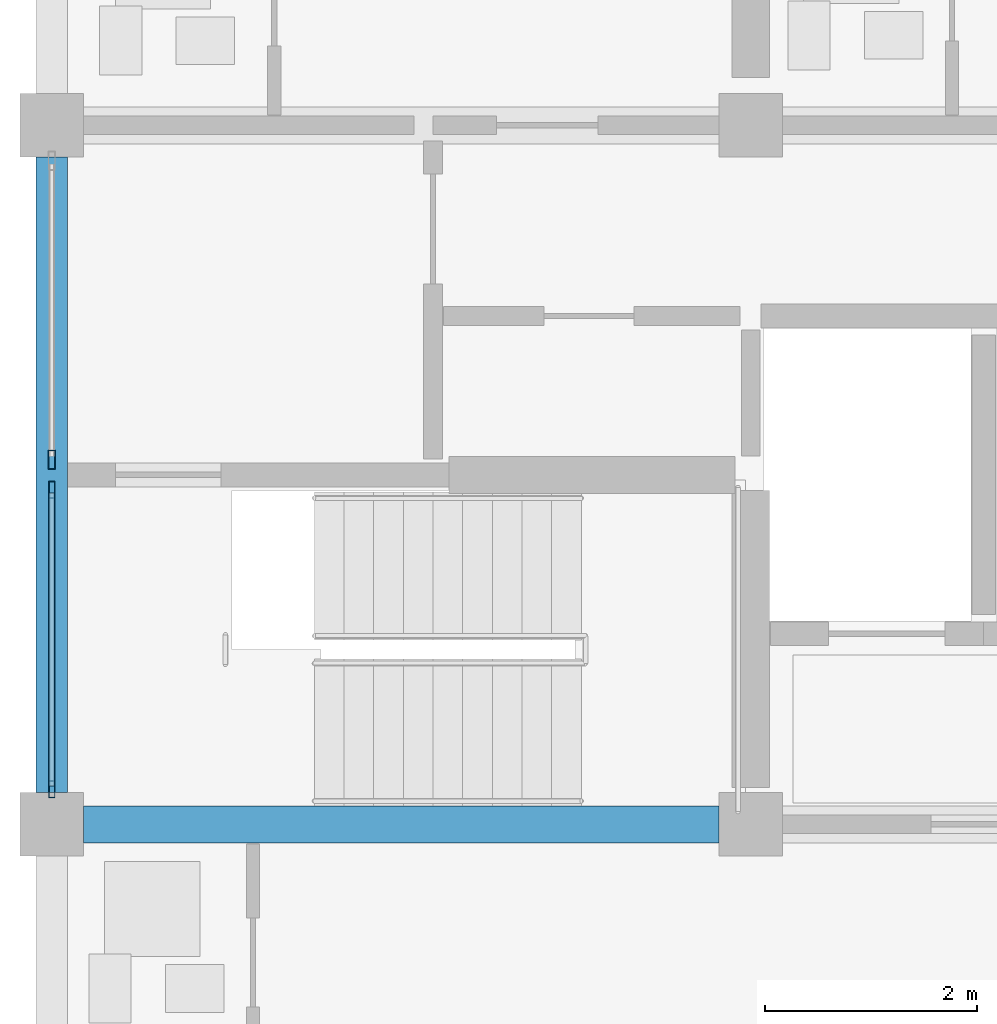
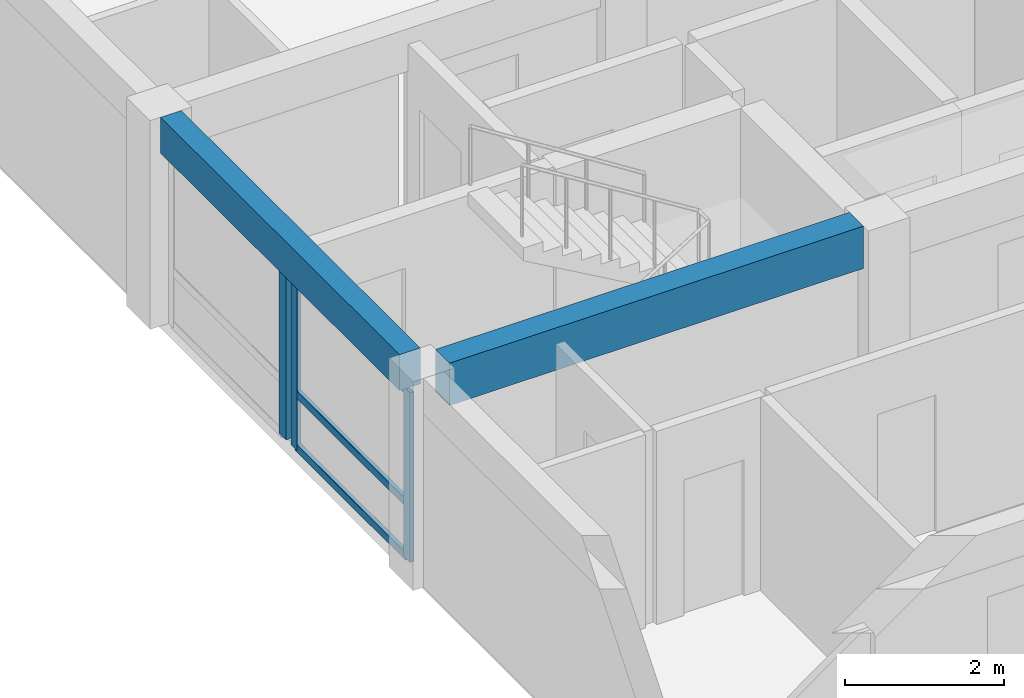
# One storey, part 14 of 51: 6 members, 2 beams, 2 elements without a shape of their own.
"""IFC4 building model written with IfcOpenShell, lengths in metres."""

import ifcopenshell
import ifcopenshell.guid

model = None  # the IFC model being written
_history = None  # IfcOwnerHistory: only IFC2X3 demands one
_inside = {}  # id of a spatial element -> (the spatial element, [elements in it])
_under = {}  # id of a project, library or spatial element -> (it, [spatial elements below it])
_declared = {}  # id of a project -> (the project, [libraries it declares])
_typed = {}  # id of a type object -> (the type object, [elements of that type])
_made_of = {}  # id of a material, layer set ... -> (it, [elements and type objects made of it])


def new_model(schema):
    """Start an empty IFC model of exactly this schema.

    Asked for "IFC4X3", IfcOpenShell would pick the latest addendum, in which some entities
    have other attributes; the version numbers below select the first issue.
    IFC2X3 requires an IfcOwnerHistory on every rooted entity: one is made here for all.
    """
    global model, _history
    if schema == "IFC4X3":
        model = ifcopenshell.file(schema_version=(4, 3, 0, 0))
    else:
        model = ifcopenshell.file(schema=schema)
    _inside.clear()
    _under.clear()
    _declared.clear()
    _typed.clear()
    _made_of.clear()
    _history = None
    if model.schema == "IFC2X3":
        org = make("IfcOrganization", Name="unknown")
        user = make(
            "IfcPersonAndOrganization",
            ThePerson=make("IfcPerson", FamilyName="unknown"),
            TheOrganization=org,
        )
        app = make(
            "IfcApplication",
            ApplicationDeveloper=org,
            Version="unknown",
            ApplicationFullName="unknown",
            ApplicationIdentifier="unknown",
        )
        _history = make(
            "IfcOwnerHistory",
            OwningUser=user,
            OwningApplication=app,
            ChangeAction="ADDED",
            CreationDate=0,
        )
    return model


def make(cls, **values):
    """One entity of the class cls with the attributes given. An attribute that is None is left unset."""
    return model.create_entity(
        cls, **{name: value for name, value in values.items() if value is not None}
    )


def rooted(cls, **values):
    """An entity with a GlobalId (a new one), such as an element, a storey or a relation."""
    return make(cls, GlobalId=ifcopenshell.guid.new(), OwnerHistory=_history, **values)


def si_unit(unit_type, name, prefix=None):
    """IfcSIUnit, for example si_unit("LENGTHUNIT", "METRE", prefix="MILLI")."""
    return make("IfcSIUnit", UnitType=unit_type, Prefix=prefix, Name=name)


def assignment(units):
    """IfcUnitAssignment: the units of a project."""
    return None if units is None else make("IfcUnitAssignment", Units=units)


def point(xyz):
    """IfcCartesianPoint."""
    return None if xyz is None else make("IfcCartesianPoint", Coordinates=xyz)


def direction(xyz):
    """IfcDirection."""
    return None if xyz is None else make("IfcDirection", DirectionRatios=xyz)


def frame(location, z_axis=None, x_axis=None):
    """IfcAxis2Placement3D, a coordinate frame: its origin and axes. An axis left out is left unset."""
    return make(
        "IfcAxis2Placement3D",
        Location=point(location),
        Axis=direction(z_axis),
        RefDirection=direction(x_axis),
    )


def frame_2d(location, x_axis=None):
    """IfcAxis2Placement2D, a coordinate frame in the plane: its origin and x axis."""
    return make(
        "IfcAxis2Placement2D", Location=point(location), RefDirection=direction(x_axis)
    )


def origin():
    """The frame at (0, 0, 0) with its axes left unset."""
    return frame((0.0, 0.0, 0.0))


def origin_2d():
    """The frame at (0, 0) in the plane with its x axis left unset."""
    return frame_2d((0.0, 0.0))


def place(relative_to, where):
    """IfcLocalPlacement: puts the frame where relative to a parent placement (None: the world)."""
    return make(
        "IfcLocalPlacement", PlacementRelTo=relative_to, RelativePlacement=where
    )


def context(
    kind, dimensions, precision=None, world=None, true_north=None, identifier=None
):
    """IfcGeometricRepresentationContext, for example the 3D "Model" context."""
    return make(
        "IfcGeometricRepresentationContext",
        ContextIdentifier=identifier,
        ContextType=kind,
        CoordinateSpaceDimension=dimensions,
        Precision=precision,
        WorldCoordinateSystem=world,
        TrueNorth=true_north,
    )


def subcontext(parent, identifier, kind, view, scale=None):
    """IfcGeometricRepresentationSubContext, for example "Body" below "Model"."""
    return make(
        "IfcGeometricRepresentationSubContext",
        ContextIdentifier=identifier,
        ContextType=kind,
        ParentContext=parent,
        TargetScale=scale,
        TargetView=view,
    )


def project(units=None, contexts=None):
    """IfcProject with its units and contexts."""
    return rooted(
        "IfcProject",
        Name="project",
        RepresentationContexts=contexts,
        UnitsInContext=assignment(units),
    )


def spatial(cls, under=None, at=None, **own):
    """A site, building, storey or space (cls), placed at a placement, below another one or the project."""
    s = rooted(cls, ObjectPlacement=at, **own)
    if under is not None:
        _under.setdefault(under.id(), (under, []))[1].append(s)
    return s


def profile(cls, at=None, kind="AREA", **sizes):
    """A parametric profile (cls). Its sizes go by their IFC names, for example OverallWidth=200.0."""
    return make(cls, ProfileType=kind, Position=at, **sizes)


def rectangle(**sizes):
    """IfcRectangleProfileDef."""
    return profile("IfcRectangleProfileDef", **sizes)


def hollow_rectangle(**sizes):
    """IfcRectangleHollowProfileDef."""
    return profile("IfcRectangleHollowProfileDef", **sizes)


def extrude(swept, where, along, depth):
    """IfcExtrudedAreaSolid: the profile swept, set in the frame where, extruded along a direction by depth."""
    return make(
        "IfcExtrudedAreaSolid",
        SweptArea=swept,
        Position=where,
        ExtrudedDirection=direction(along),
        Depth=depth,
    )


def shape(context_of_items, identifier, shape_type, items):
    """IfcShapeRepresentation: the items that make up one representation, for example the "Body"."""
    return make(
        "IfcShapeRepresentation",
        ContextOfItems=context_of_items,
        RepresentationIdentifier=identifier,
        RepresentationType=shape_type,
        Items=items,
    )


def material(Name=None, Category=None):
    """IfcMaterial."""
    return make("IfcMaterial", Name=Name, Category=Category)


def material_profile(
    of_material, cross_section, Name=None, Category=None, Priority=None
):
    """IfcMaterialProfile: a cross section and its material."""
    return make(
        "IfcMaterialProfile",
        Name=Name,
        Material=of_material,
        Profile=cross_section,
        Priority=Priority,
        Category=Category,
    )


def profile_set(profiles, Name=None, composite=None):
    """IfcMaterialProfileSet."""
    return make(
        "IfcMaterialProfileSet",
        Name=Name,
        MaterialProfiles=profiles,
        CompositeProfile=composite,
    )


def made_of(thing, what):
    """Note that an element or type object is made of a material, layer set ...; save() writes the relation."""
    if what is not None:
        _made_of.setdefault(what.id(), (what, []))[1].append(thing)
    return thing


def type_object(cls, material=None, **own):
    """A type object (cls), such as IfcWallType, which elements share."""
    return made_of(rooted(cls, **own), material)


def element(
    cls,
    number,
    at=None,
    inside=None,
    cuts=None,
    type_object=None,
    material=None,
    context=None,
    identifier="Body",
    shape_type=None,
    held_by="IfcProductDefinitionShape",
    body=None,
    shapes=None,
    **own,
):
    """One element of the class cls, such as IfcWall. Its Tag is "e" and its number.

    at: its placement. inside: the storey or other place that contains it. cuts: it is an
    opening in that element (IfcRelVoidsElement). A single representation is given by context,
    identifier, shape_type and body (its items); several are given by shapes. held_by: the class
    of the entity that holds the representations. save() writes the other relations.
    """
    e = rooted(cls, Tag="e%d" % number, ObjectPlacement=at, **own)
    if body is not None:
        shapes = [shape(context, identifier, shape_type, body)]
    if shapes is not None:
        e.Representation = make(held_by, Representations=shapes)
    if inside is not None:
        _inside.setdefault(inside.id(), (inside, []))[1].append(e)
    if cuts is not None:
        rooted(
            "IfcRelVoidsElement", RelatingBuildingElement=cuts, RelatedOpeningElement=e
        )
    if type_object is not None:
        _typed.setdefault(type_object.id(), (type_object, []))[1].append(e)
    return made_of(e, material)


def aggregate(whole, parts):
    """IfcRelAggregates: a whole, such as a stair, and the parts it consists of."""
    return rooted("IfcRelAggregates", RelatingObject=whole, RelatedObjects=parts)


def save(model, path):
    """Write the relations noted so far, then the file.

    IfcRelAggregates (storeys below a building ...), IfcRelContainedInSpatialStructure (elements
    in a storey), IfcRelDefinesByType, IfcRelAssociatesMaterial and IfcRelDeclares: one each for
    every whole, place, type object, material and project.
    """
    for whole, parts in _under.values():
        aggregate(whole, parts)
    for where, things in _inside.values():
        rooted(
            "IfcRelContainedInSpatialStructure",
            RelatedElements=things,
            RelatingStructure=where,
        )
    for kind, things in _typed.values():
        rooted("IfcRelDefinesByType", RelatedObjects=things, RelatingType=kind)
    for what, things in _made_of.values():
        rooted("IfcRelAssociatesMaterial", RelatedObjects=things, RelatingMaterial=what)
    for by, libraries in _declared.values():
        rooted("IfcRelDeclares", RelatingContext=by, RelatedDefinitions=libraries)
    model.write(path)


model = new_model("IFC4")

# Units and contexts
model_context = context("Model", 3, precision=1e-05, world=origin(), true_north=direction((0.0, 1.0)))
body_context = subcontext(model_context, "Body", "Model", "MODEL_VIEW")
ifc_project = project(units=[si_unit("LENGTHUNIT", "METRE"), si_unit("AREAUNIT", "SQUARE_METRE"), si_unit("VOLUMEUNIT", "CUBIC_METRE"), si_unit("PLANEANGLEUNIT", "RADIAN"), si_unit("MASSUNIT", "GRAM", prefix="KILO")], contexts=[model_context])

# Site, building, storey
site_placement = place(None, origin())
site = spatial("IfcSite", under=ifc_project, at=site_placement, CompositionType="ELEMENT")
building_placement = place(site_placement, origin())
building = spatial("IfcBuilding", under=site, at=building_placement, Name="Kernevlak Ridge Housing Community", CompositionType="ELEMENT")
storey_placement = place(building_placement, frame((0.0, 0.0, 8.39990234375)))
storey = spatial("IfcBuildingStorey", under=building, at=storey_placement, Name="L02", CompositionType="ELEMENT", Elevation=8.39990234375)

# Beam
ifc_material_1 = material(Name="Concrete C35/45", Category="concrete")
ifc_material_profile_1 = material_profile(ifc_material_1, rectangle(XDim=0.35009765625, YDim=0.64990234375, at=origin_2d()), Name="RC 350x650")
ifc_profile_set_1 = profile_set([ifc_material_profile_1], Name="Concrete C35/45")
beam_type_1 = type_object("IfcBeamType", Name="B-02", PredefinedType="BEAM", material=ifc_profile_set_1)
beam_1_placement = place(storey_placement, frame((15.89990234375, 82.60009765625, 2.875), z_axis=(1.0, 0.0, 0.0), x_axis=(0.0, 1.0, 0.0)))
element("IfcBeam", 1, at=beam_1_placement, inside=storey, type_object=beam_type_1, Name="Beam B-02 L02 114", PredefinedType="BEAM", context=body_context, shape_type="SweptSolid", body=[
    extrude(rectangle(XDim=0.35009765625, YDim=0.64990234375, at=origin_2d()), origin(), (0.0, 0.0, 1.0), 6.0),
])

# Curtain wall, members
ifc_material_2 = material(Name="Aluminium EN AW-6060 anodised and laminated glass", Category="aluminium")
curtain_wall_type_1 = type_object("IfcCurtainWallType", Name="CW-01", PredefinedType="NOTDEFINED", material=ifc_material_2)
curtain_wall_1_placement = place(storey_placement, origin())
curtain_wall_1 = element("IfcCurtainWall", 2, at=curtain_wall_1_placement, inside=storey, type_object=curtain_wall_type_1, Name="Curtain wall CW-01 CW-L02-007", PredefinedType="NOTDEFINED")
ifc_material_3 = material(Name="Aluminium EN AW-6060 anodised", Category="aluminium")
ifc_material_profile_2 = material_profile(ifc_material_3, hollow_rectangle(XDim=0.06005859375, YDim=0.159912109375, WallThickness=0.00390625, InnerFilletRadius=0.001953125, OuterFilletRadius=0.00390625, at=origin_2d()), Name="ALU 60x160x4")
ifc_profile_set_2 = profile_set([ifc_material_profile_2], Name="Aluminium EN AW-6060 anodised")
member_type_1 = type_object("IfcMemberType", Name="MU-02", PredefinedType="MULLION", material=ifc_profile_set_2)
member_1_placement = place(storey_placement, frame((15.60009765625, 82.929931640625, 0.0), z_axis=(0.0, 0.0, 1.0), x_axis=(-1.0, 0.0, 0.0)))
member_1 = element("IfcMember", 3, at=member_1_placement, type_object=member_type_1, Name="CW-01 mullion 1", PredefinedType="MULLION", context=body_context, shape_type="SweptSolid", body=[
    extrude(hollow_rectangle(XDim=0.06005859375, YDim=0.159912109375, WallThickness=0.00390625, InnerFilletRadius=0.001953125, OuterFilletRadius=0.00390625, at=origin_2d()), origin(), (0.0, 0.0, 1.0), 2.60009765625),
])
member_2_placement = place(storey_placement, frame((15.60009765625, 85.760009765625, 0.0), z_axis=(0.0, 0.0, 1.0), x_axis=(-1.0, 0.0, 0.0)))
member_2 = element("IfcMember", 4, at=member_2_placement, type_object=member_type_1, Name="CW-01 mullion 2", PredefinedType="MULLION", context=body_context, shape_type="SweptSolid", body=[
    extrude(hollow_rectangle(XDim=0.06005859375, YDim=0.159912109375, WallThickness=0.00390625, InnerFilletRadius=0.001953125, OuterFilletRadius=0.00390625, at=origin_2d()), origin(), (0.0, 0.0, 1.0), 2.60009765625),
])

# Curtain wall, member
curtain_wall_type_2 = type_object("IfcCurtainWallType", Name="CW-06", PredefinedType="NOTDEFINED", material=ifc_material_2)
curtain_wall_2_placement = place(storey_placement, origin())
curtain_wall_2 = element("IfcCurtainWall", 5, at=curtain_wall_2_placement, inside=storey, type_object=curtain_wall_type_2, Name="Curtain wall CW-06 CW-L02-008", PredefinedType="NOTDEFINED")
ifc_material_profile_3 = material_profile(ifc_material_3, hollow_rectangle(XDim=0.06494140625, YDim=0.179931640625, WallThickness=0.00439453125, InnerFilletRadius=0.001953125, OuterFilletRadius=0.00439453125, at=origin_2d()), Name="ALU 65x180x4.5")
ifc_profile_set_3 = profile_set([ifc_material_profile_3], Name="Aluminium EN AW-6060 anodised")
member_type_2 = type_object("IfcMemberType", Name="MU-03", PredefinedType="MULLION", material=ifc_profile_set_3)
member_3_placement = place(storey_placement, frame((15.60009765625, 86.04248046875, 0.0), z_axis=(0.0, 0.0, 1.0), x_axis=(-1.0, 0.0, 0.0)))
member_3 = element("IfcMember", 6, at=member_3_placement, type_object=member_type_2, Name="CW-06 mullion 1", PredefinedType="MULLION", context=body_context, shape_type="SweptSolid", body=[
    extrude(hollow_rectangle(XDim=0.06494140625, YDim=0.179931640625, WallThickness=0.00439453125, InnerFilletRadius=0.001953125, OuterFilletRadius=0.00439453125, at=origin_2d()), origin(), (0.0, 0.0, 1.0), 2.60009765625),
])
aggregate(curtain_wall_2, [member_3])

# Beam
ifc_material_profile_4 = material_profile(ifc_material_1, rectangle(XDim=0.300048828125, YDim=0.550048828125, at=origin_2d()), Name="RC 300x550")
ifc_profile_set_4 = profile_set([ifc_material_profile_4], Name="Concrete C35/45")
beam_type_2 = type_object("IfcBeamType", Name="SP-01", PredefinedType="SPANDREL", material=ifc_profile_set_4)
beam_2_placement = place(storey_placement, frame((15.60009765625, 82.89990234375, 2.925048828125), z_axis=(0.0, 1.0, 0.0), x_axis=(-1.0, 0.0, 0.0)))
element("IfcBeam", 7, at=beam_2_placement, inside=storey, type_object=beam_type_2, Name="Beam SP-01 L02 130", PredefinedType="SPANDREL", context=body_context, shape_type="SweptSolid", body=[
    extrude(rectangle(XDim=0.300048828125, YDim=0.550048828125, at=origin_2d()), origin(), (0.0, 0.0, 1.0), 6.0),
])

# Member
ifc_material_profile_5 = material_profile(ifc_material_3, hollow_rectangle(XDim=0.06005859375, YDim=0.1201171875, WallThickness=0.00390625, InnerFilletRadius=0.001953125, OuterFilletRadius=0.00390625, at=origin_2d()), Name="ALU 60x120x4")
ifc_profile_set_5 = profile_set([ifc_material_profile_5], Name="Aluminium EN AW-6060 anodised")
member_type_3 = type_object("IfcMemberType", Name="TM-02", PredefinedType="USERDEFINED", material=ifc_profile_set_5)
member_4_placement = place(storey_placement, frame((15.60009765625, 82.9599609375, 0.030029296875), z_axis=(0.0, 1.0, 0.0), x_axis=(-1.0, 0.0, 0.0)))
member_4 = element("IfcMember", 8, at=member_4_placement, type_object=member_type_3, Name="CW-01 transom 1.1", ObjectType="TRANSOM", PredefinedType="USERDEFINED", context=body_context, shape_type="SweptSolid", body=[
    extrude(hollow_rectangle(XDim=0.06005859375, YDim=0.1201171875, WallThickness=0.00390625, InnerFilletRadius=0.001953125, OuterFilletRadius=0.00390625, at=origin_2d()), origin(), (0.0, 0.0, 1.0), 2.77001953125),
])

member_5_placement = place(storey_placement, frame((15.60009765625, 82.9599609375, 0.85009765625), z_axis=(0.0, 1.0, 0.0), x_axis=(-1.0, 0.0, 0.0)))
member_5 = element("IfcMember", 9, at=member_5_placement, type_object=member_type_3, Name="CW-01 transom 1.2", ObjectType="TRANSOM", PredefinedType="USERDEFINED", context=body_context, shape_type="SweptSolid", body=[
    extrude(hollow_rectangle(XDim=0.06005859375, YDim=0.1201171875, WallThickness=0.00390625, InnerFilletRadius=0.001953125, OuterFilletRadius=0.00390625, at=origin_2d()), origin(), (0.0, 0.0, 1.0), 2.77001953125),
])

member_6_placement = place(storey_placement, frame((15.60009765625, 82.9599609375, 2.570068359375), z_axis=(0.0, 1.0, 0.0), x_axis=(-1.0, 0.0, 0.0)))
member_6 = element("IfcMember", 10, at=member_6_placement, type_object=member_type_3, Name="CW-01 transom 1.3", ObjectType="TRANSOM", PredefinedType="USERDEFINED", context=body_context, shape_type="SweptSolid", body=[
    extrude(hollow_rectangle(XDim=0.06005859375, YDim=0.1201171875, WallThickness=0.00390625, InnerFilletRadius=0.001953125, OuterFilletRadius=0.00390625, at=origin_2d()), origin(), (0.0, 0.0, 1.0), 2.77001953125),
])

aggregate(curtain_wall_1, [member_1, member_2, member_4, member_5, member_6])

save(model, "model.ifc")
